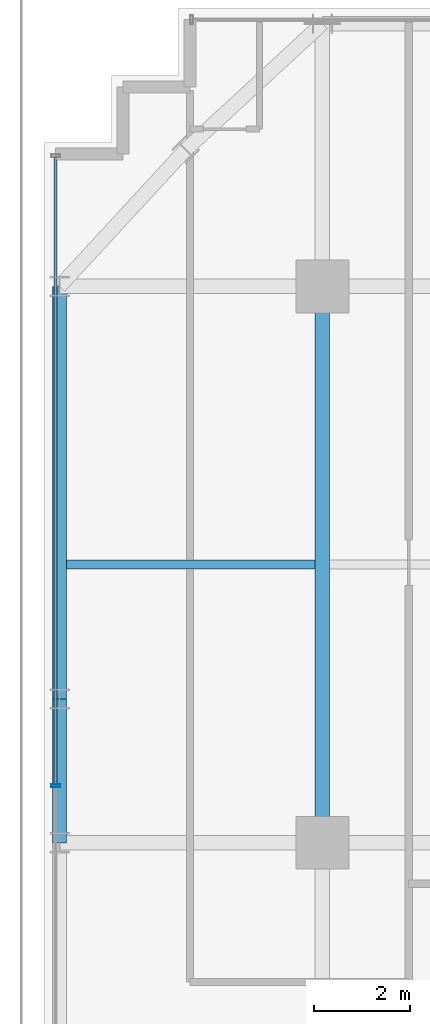
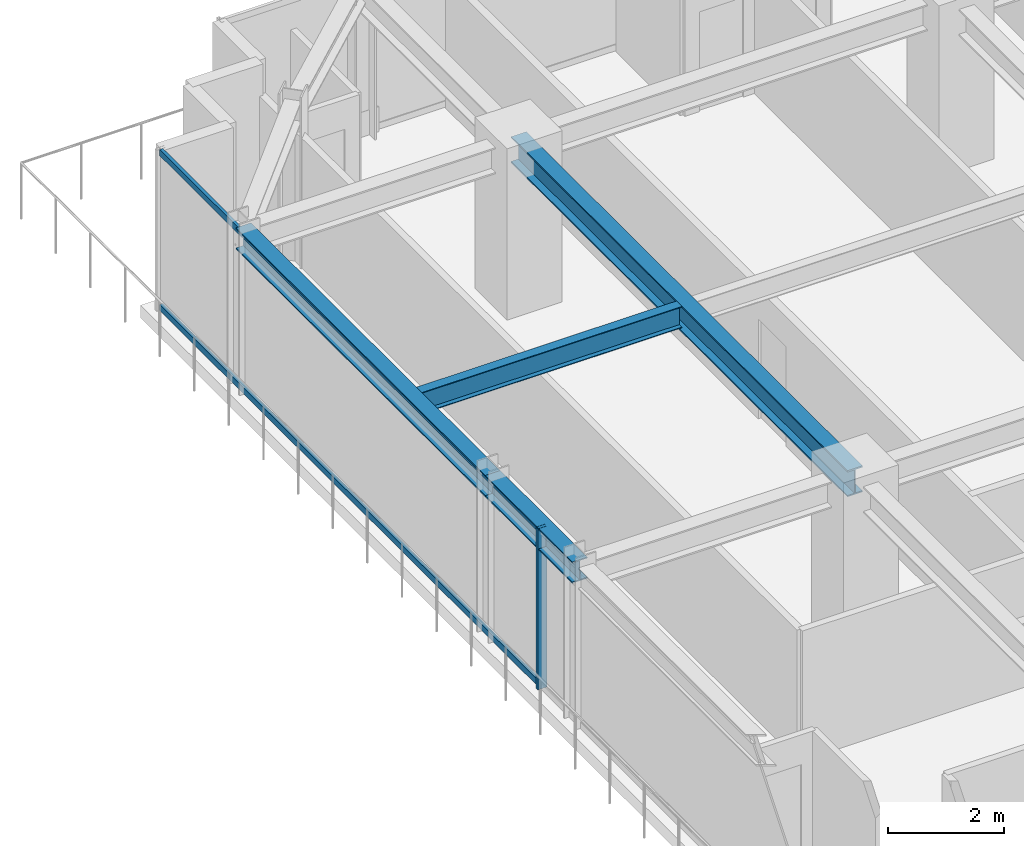
# One storey, part 13 of 33: 4 beams, 3 members, 1 element without a shape of its own.
"""IFC4 building model written with IfcOpenShell, lengths in metres."""

from ifc_helpers import new_model, si_unit, direction, frame, origin, origin_2d, place, context, subcontext, project, spatial, hollow_rectangle, i_section, extrude, source, transform, mapped, material, material_profile, profile_set, type_object, element, aggregate, save


model = new_model("IFC4")

# Units and contexts
model_context = context("Model", 3, precision=1e-05, world=origin(), true_north=direction((0.0, 1.0)))
body_context = subcontext(model_context, "Body", "Model", "MODEL_VIEW")
ifc_project = project(units=[si_unit("LENGTHUNIT", "METRE"), si_unit("AREAUNIT", "SQUARE_METRE"), si_unit("VOLUMEUNIT", "CUBIC_METRE"), si_unit("PLANEANGLEUNIT", "RADIAN"), si_unit("MASSUNIT", "GRAM", prefix="KILO")], contexts=[model_context])

# Site, building, storey
site_placement = place(None, origin())
site = spatial("IfcSite", under=ifc_project, at=site_placement, CompositionType="ELEMENT")
building_placement = place(site_placement, origin())
building = spatial("IfcBuilding", under=site, at=building_placement, Name="Nahalor Promenade Grand Hotel", CompositionType="ELEMENT")
storey_placement = place(building_placement, frame((0.0, 0.0, 149.0)))
storey = spatial("IfcBuildingStorey", under=building, at=storey_placement, Name="L37", CompositionType="ELEMENT", Elevation=149.0)

# Beams
ifc_material_1 = material(Name="Steel S355JR", Category="steel")
ifc_material_profile_1 = material_profile(ifc_material_1, i_section(OverallWidth=0.3, OverallDepth=0.55, WebThickness=0.015, FlangeThickness=0.029, at=origin_2d()), Name="HEB 550")
ifc_profile_set_1 = profile_set([ifc_material_profile_1], Name="Steel S355JR")
beam_type_1 = type_object("IfcBeamType", Name="Beam-Girder-HEB550", PredefinedType="BEAM", material=ifc_profile_set_1)
shared_shape_1 = source(origin(), body_context, "Body", "SweptSolid", [
    extrude(i_section(OverallWidth=0.3, OverallDepth=0.55, WebThickness=0.015, FlangeThickness=0.029, at=origin_2d()), origin(), (0.0, 0.0, 1.0), 11.60009765625),
])
beam_1_placement = place(storey_placement, frame((-17.0, 5.39990234375, 3.114990234375), z_axis=(0.0, 1.0, 0.0), x_axis=(-1.0, 0.0, 0.0)))
element("IfcBeam", 1, at=beam_1_placement, inside=storey, type_object=beam_type_1, Name="BM-L37-GY-0-3", PredefinedType="BEAM", context=body_context, shape_type="MappedRepresentation", body=[
    mapped(shared_shape_1, transform((0.0, 0.0, 0.0), scale=1.0)),
])
ifc_material_profile_2 = material_profile(ifc_material_1, i_section(OverallWidth=0.19, OverallDepth=0.45, WebThickness=0.0094, FlangeThickness=0.0146, at=origin_2d()), Name="IPE 450")
ifc_profile_set_2 = profile_set([ifc_material_profile_2], Name="Steel S355JR")
beam_type_2 = type_object("IfcBeamType", Name="Beam-Joist-IPE450", PredefinedType="JOIST", material=ifc_profile_set_2)
shared_shape_2 = source(origin(), body_context, "Body", "SweptSolid", [
    extrude(i_section(OverallWidth=0.19, OverallDepth=0.45, WebThickness=0.0094, FlangeThickness=0.0146, at=origin_2d()), origin(), (0.0, 0.0, 1.0), 5.18017578125),
])
beam_2_placement = place(storey_placement, frame((-22.330078125, 11.199951171875, 3.1650390625), z_axis=(1.0, 0.0, 0.0), x_axis=(0.0, 1.0, 0.0)))
element("IfcBeam", 2, at=beam_2_placement, inside=storey, type_object=beam_type_2, Name="BM-L37-JSW-1-0", PredefinedType="JOIST", context=body_context, shape_type="MappedRepresentation", body=[
    mapped(shared_shape_2, transform((0.0, 0.0, 0.0), scale=1.0)),
])
ifc_material_profile_3 = material_profile(ifc_material_1, i_section(OverallWidth=0.3, OverallDepth=0.45, WebThickness=0.014, FlangeThickness=0.026, at=origin_2d()), Name="HEB 450")
ifc_profile_set_3 = profile_set([ifc_material_profile_3], Name="Steel S355JR")
beam_type_3 = type_object("IfcBeamType", Name="Beam-Spandrel-HEB450", PredefinedType="SPANDREL", material=ifc_profile_set_3)
shared_shape_3 = source(origin(), body_context, "Body", "SweptSolid", [
    extrude(i_section(OverallWidth=0.3, OverallDepth=0.45, WebThickness=0.014, FlangeThickness=0.026, at=origin_2d()), origin(), (0.0, 0.0, 1.0), 8.60009765625),
])
beam_3_placement = place(storey_placement, frame((-22.47998046875, 8.39990234375, 3.1650390625), z_axis=(0.0, 1.0, 0.0), x_axis=(-1.0, 0.0, 0.0)))
element("IfcBeam", 3, at=beam_3_placement, inside=storey, type_object=beam_type_3, Name="BM-L37-SP-W-4", PredefinedType="SPANDREL", context=body_context, shape_type="MappedRepresentation", body=[
    mapped(shared_shape_3, transform((0.0, 0.0, 0.0), scale=1.0)),
])
shared_shape_4 = source(origin(), body_context, "Body", "SweptSolid", [
    extrude(i_section(OverallWidth=0.3, OverallDepth=0.45, WebThickness=0.014, FlangeThickness=0.026, at=origin_2d()), origin(), (0.0, 0.0, 1.0), 3.0),
])
beam_4_placement = place(storey_placement, frame((-22.47998046875, 5.39990234375, 3.1650390625), z_axis=(0.0, 1.0, 0.0), x_axis=(-1.0, 0.0, 0.0)))
element("IfcBeam", 4, at=beam_4_placement, inside=storey, type_object=beam_type_3, Name="BM-L37-SP-W-3", PredefinedType="SPANDREL", context=body_context, shape_type="MappedRepresentation", body=[
    mapped(shared_shape_4, transform((0.0, 0.0, 0.0), scale=1.0)),
])

# Curtain wall, members
ifc_material_2 = material(Name="Anodised Bronze Aluminium EN AW-6063 T6", Category="aluminium")
curtain_wall_type = type_object("IfcCurtainWallType", Name="CW2 Typical Hotel Flush Bronze Unitised Curtain Wall", PredefinedType="USERDEFINED", material=ifc_material_2)
curtain_wall_placement = place(storey_placement, origin())
curtain_wall = element("IfcCurtainWall", 5, at=curtain_wall_placement, inside=storey, type_object=curtain_wall_type, Name="L37 Curtain Wall CW-L37-W-1", ObjectType="UNITISED_CURTAIN_WALL", PredefinedType="USERDEFINED")
ifc_material_profile_4 = material_profile(ifc_material_2, hollow_rectangle(XDim=0.065, YDim=0.18, WallThickness=0.004, at=origin_2d()), Name="CWM 65x180x4")
ifc_profile_set_4 = profile_set([ifc_material_profile_4], Name="Anodised Bronze Aluminium EN AW-6063 T6")
member_type_1 = type_object("IfcMemberType", Name="CWM2 Typical Bronze Mullion 65x180", PredefinedType="MULLION", material=ifc_profile_set_4)
shared_shape_5 = source(origin(), body_context, "Body", "SweptSolid", [
    extrude(hollow_rectangle(XDim=0.065, YDim=0.18, WallThickness=0.004, at=origin_2d()), origin(), (0.0, 0.0, 1.0), 3.389892578125),
])
member_1_placement = place(storey_placement, frame((-22.56005859375, 6.586669921875, 0.0), z_axis=(0.0, 0.0, 1.0), x_axis=(0.0, 1.0, 0.0)))
member_1 = element("IfcMember", 6, at=member_1_placement, type_object=member_type_1, Name="CW-L37-W-1 Mullion 2", PredefinedType="MULLION", context=body_context, shape_type="MappedRepresentation", body=[
    mapped(shared_shape_5, transform((0.0, 0.0, 0.0), scale=1.0)),
])
ifc_material_profile_5 = material_profile(ifc_material_2, hollow_rectangle(XDim=0.065, YDim=0.13, WallThickness=0.004, at=origin_2d()), Name="CWT 65x130x4")
ifc_profile_set_5 = profile_set([ifc_material_profile_5], Name="Anodised Bronze Aluminium EN AW-6063 T6")
member_type_2 = type_object("IfcMemberType", Name="CWT2 Typical Bronze Transom 65x130", PredefinedType="USERDEFINED", material=ifc_profile_set_5)
shared_shape_6 = source(origin(), body_context, "Body", "SweptSolid", [
    extrude(hollow_rectangle(XDim=0.065, YDim=0.13, WallThickness=0.004, at=origin_2d()), origin(), (0.0, 0.0, 1.0), 13.075927734375),
])
member_2_placement = place(storey_placement, frame((-22.56005859375, 6.619140625, 0.06494140625), z_axis=(0.0, 1.0, 0.0), x_axis=(-1.0, 0.0, 0.0)))
member_2 = element("IfcMember", 7, at=member_2_placement, type_object=member_type_2, Name="CW-L37-W-1 Transom 2-0", ObjectType="TRANSOM", PredefinedType="USERDEFINED", context=body_context, shape_type="MappedRepresentation", body=[
    mapped(shared_shape_6, transform((0.0, 0.0, 0.0), scale=1.0)),
])
member_3_placement = place(storey_placement, frame((-22.56005859375, 6.619140625, 3.324951171875), z_axis=(0.0, 1.0, 0.0), x_axis=(-1.0, 0.0, 0.0)))
member_3 = element("IfcMember", 8, at=member_3_placement, type_object=member_type_2, Name="CW-L37-W-1 Transom 2-1", ObjectType="TRANSOM", PredefinedType="USERDEFINED", context=body_context, shape_type="MappedRepresentation", body=[
    mapped(shared_shape_6, transform((0.0, 0.0, 0.0), scale=1.0)),
])
aggregate(curtain_wall, [member_1, member_2, member_3])

save(model, "model.ifc")
